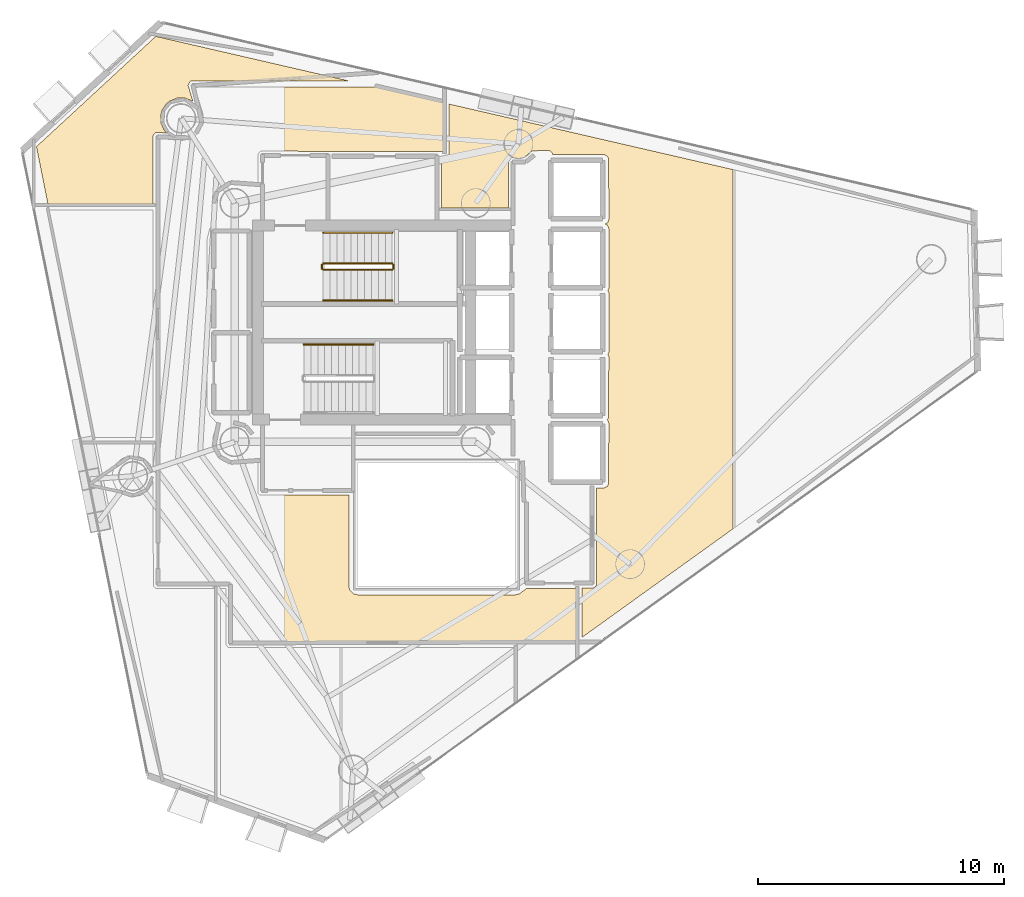
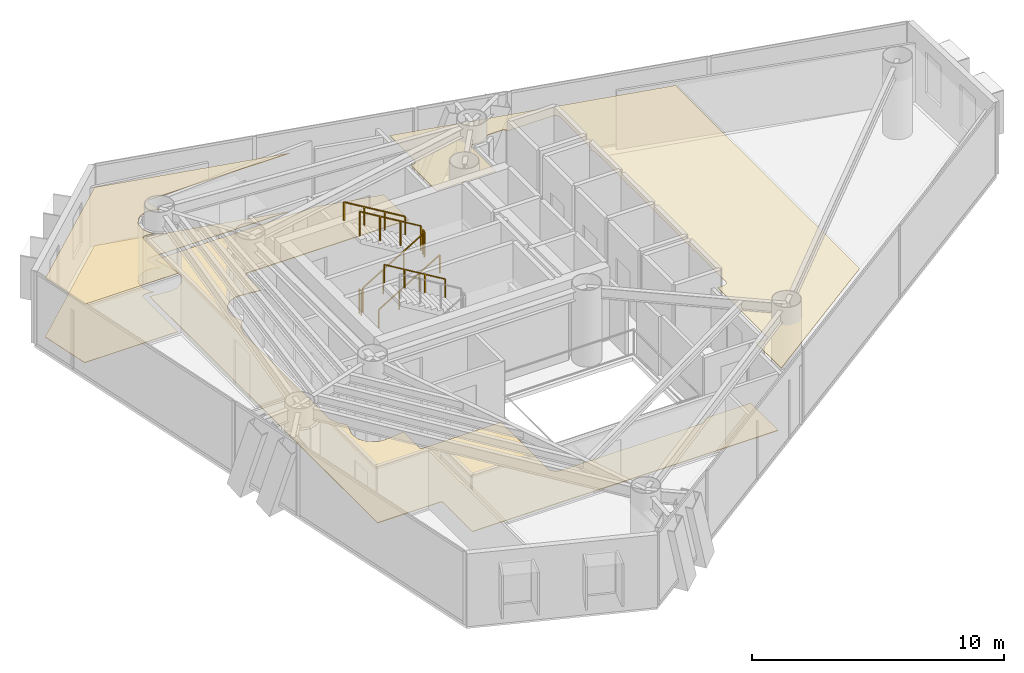
# One storey, part 21 of 22: 7 railings, 4 coverings.
"""IFC4 building model written with IfcOpenShell, lengths in metres."""

from ifc_helpers import new_model, si_unit, direction, frame, origin, origin_2d, place, context, subcontext, project, spatial, polyline, rectangle, outline, extrude, material, layer, layer_set, type_object, element, save


model = new_model("IFC4")

# Units and contexts
model_context = context("Model", 3, precision=1e-05, world=origin(), true_north=direction((0.0, 1.0)))
body_context = subcontext(model_context, "Body", "Model", "MODEL_VIEW")
ifc_project = project(units=[si_unit("LENGTHUNIT", "METRE"), si_unit("AREAUNIT", "SQUARE_METRE"), si_unit("VOLUMEUNIT", "CUBIC_METRE"), si_unit("PLANEANGLEUNIT", "RADIAN"), si_unit("MASSUNIT", "GRAM", prefix="KILO")], contexts=[model_context])

# Site, building, storey
site_placement = place(None, origin())
site = spatial("IfcSite", under=ifc_project, at=site_placement, CompositionType="ELEMENT")
building_placement = place(site_placement, origin())
building = spatial("IfcBuilding", under=site, at=building_placement, Name="Qianvela Tower", CompositionType="ELEMENT")
storey_placement = place(building_placement, frame((0.0, 0.0, 200.300048828125)))
storey = spatial("IfcBuildingStorey", under=building, at=storey_placement, Name="L51", CompositionType="ELEMENT", Elevation=200.300048828125)

# Coverings
ifc_material_1 = material(Name="Perforated Mineral Acoustic Ceiling Tile")
ifc_layer_1 = layer(ifc_material_1, 0.02490234375)
ifc_layer_set_1 = layer_set([ifc_layer_1], Name="Perforated Mineral Acoustic Ceiling Tile")
covering_type_1 = type_object("IfcCoveringType", Name="COV-CEIL-ACOUSTIC-25", PredefinedType="CEILING", material=ifc_layer_set_1)
covering_1_placement = place(storey_placement, frame((0.0, 0.0, 2.81494140625)))
element("IfcCovering", 1, at=covering_1_placement, inside=storey, type_object=covering_type_1, Name="L51 Acoustic Ceiling Bay 1 Collaborative Co-working Office L51-02", PredefinedType="CEILING", context=body_context, shape_type="SweptSolid", body=[
    extrude(outline(polyline([(42.70751953125, 17.920166015625), (43.157958984375, 17.92041015625), (43.165771484375, 17.9208984375), (43.173583984375, 17.921875), (43.18115234375, 17.923828125), (43.1884765625, 17.926513671875), (43.195556640625, 17.9296875), (43.202392578125, 17.933837890625), (43.20849609375, 17.9384765625), (43.21435546875, 17.94384765625), (43.2861328125, 18.015625), (43.29150390625, 18.021484375), (43.296142578125, 18.027587890625), (43.30029296875, 18.034423828125), (43.303466796875, 18.04150390625), (43.30615234375, 18.048828125), (43.30810546875, 18.056640625), (43.30908203125, 18.064208984375), (43.3095703125, 18.072265625), (43.309326171875, 21.980712890625), (43.60791015625, 21.982666015625), (43.615478515625, 21.983154296875), (43.623291015625, 21.984375), (43.630859375, 21.986083984375), (43.637939453125, 21.98876953125), (43.64501953125, 21.9921875), (43.716796875, 22.030517578125), (43.723388671875, 22.034423828125), (43.729736328125, 22.039306640625), (43.735595703125, 22.04443359375), (43.74072265625, 22.05029296875), (43.74560546875, 22.056640625), (43.74951171875, 22.063232421875), (43.787841796875, 22.135009765625), (43.791259765625, 22.14208984375), (43.7939453125, 22.1494140625), (43.7958984375, 22.156982421875), (43.796875, 22.164794921875), (43.79736328125, 22.172607421875), (43.79931640625, 24.61376953125), (43.799072265625, 24.62060546875), (43.798095703125, 24.627685546875), (43.79638671875, 24.634765625), (43.79443359375, 24.641357421875), (43.79150390625, 24.64794921875), (43.751220703125, 24.733154296875), (43.74755859375, 24.739990234375), (43.743408203125, 24.74658203125), (43.738525390625, 24.752197265625), (43.780517578125, 24.81494140625), (43.784423828125, 24.821533203125), (43.787841796875, 24.82861328125), (43.79052734375, 24.8359375), (43.79248046875, 24.843505859375), (43.793701171875, 24.851318359375), (43.7939453125, 24.859130859375), (43.800048828125, 27.2998046875), (43.799560546875, 27.307861328125), (43.79833984375, 27.315673828125), (43.79638671875, 27.323486328125), (43.793701171875, 27.3310546875), (43.7646484375, 27.39990234375), (43.793701171875, 27.468994140625), (43.79638671875, 27.476318359375), (43.79833984375, 27.484130859375), (43.799560546875, 27.491943359375), (43.800048828125, 27.5), (43.800048828125, 29.89990234375), (43.799560546875, 29.907958984375), (43.79833984375, 29.915771484375), (43.79638671875, 29.923583984375), (43.793701171875, 29.93115234375), (43.7646484375, 30.0), (43.793701171875, 30.06884765625), (43.79638671875, 30.076416015625), (43.79833984375, 30.084228515625), (43.799560546875, 30.092041015625), (43.800048828125, 30.10009765625), (43.79931640625, 32.513671875), (43.798828125, 32.522705078125), (43.79736328125, 32.53125), (43.794921875, 32.539794921875), (43.79150390625, 32.5478515625), (43.751220703125, 32.63330078125), (43.74755859375, 32.64013671875), (43.743408203125, 32.646728515625), (43.73828125, 32.652587890625), (43.732666015625, 32.658203125), (43.726806640625, 32.663330078125), (43.72021484375, 32.66748046875), (43.713134765625, 32.67138671875), (43.646484375, 32.702880859375), (43.722412109375, 32.739013671875), (43.729248046875, 32.74267578125), (43.73583984375, 32.746826171875), (43.741943359375, 32.751953125), (43.74755859375, 32.757568359375), (43.75244140625, 32.763427734375), (43.7568359375, 32.77001953125), (43.760498046875, 32.777099609375), (43.763427734375, 32.7841796875), (43.79541015625, 32.873046875), (43.79736328125, 32.879638671875), (43.798828125, 32.886474609375), (43.7998046875, 32.893310546875), (43.800048828125, 32.900146484375), (43.79736328125, 35.327392578125), (43.796875, 35.3359375), (43.79541015625, 35.344482421875), (43.793212890625, 35.352783203125), (43.7900390625, 35.36083984375), (43.785888671875, 35.368408203125), (43.7373046875, 35.44921875), (43.732666015625, 35.456298828125), (43.727294921875, 35.462890625), (43.72119140625, 35.46875), (43.71435546875, 35.47412109375), (43.70703125, 35.478515625), (43.699462890625, 35.482177734375), (43.624267578125, 35.51318359375), (43.616943359375, 35.515869140625), (43.609375, 35.517822265625), (43.6015625, 35.518798828125), (43.59375, 35.519287109375), (41.515625, 35.52001953125), (41.513916015625, 35.554931640625), (41.512939453125, 35.563232421875), (41.51123046875, 35.5712890625), (41.508544921875, 35.5791015625), (41.50537109375, 35.5869140625), (41.501220703125, 35.593994140625), (41.496337890625, 35.6005859375), (41.49072265625, 35.60693359375), (41.484619140625, 35.612548828125), (41.426513671875, 35.660400390625), (41.419921875, 35.6650390625), (41.413330078125, 35.6689453125), (41.406005859375, 35.67236328125), (41.398681640625, 35.675048828125), (41.39111328125, 35.677001953125), (41.38330078125, 35.677978515625), (41.37548828125, 35.678466796875), (40.726806640625, 35.676513671875), (40.718994140625, 35.67626953125), (40.71142578125, 35.675048828125), (40.7041015625, 35.67333984375), (40.697021484375, 35.670654296875), (40.68994140625, 35.66748046875), (40.683349609375, 35.663818359375), (40.677001953125, 35.6591796875), (40.35986328125, 35.40673828125), (40.129150390625, 35.36083984375), (39.884521484375, 35.402099609375), (39.87646484375, 35.403076171875), (39.8681640625, 35.4033203125), (39.860107421875, 35.402587890625), (39.85205078125, 35.40087890625), (39.84423828125, 35.398681640625), (39.8369140625, 35.3955078125), (39.82958984375, 35.3916015625), (39.822998046875, 35.38720703125), (39.7578125, 35.337890625), (39.75146484375, 35.332763671875), (39.745849609375, 35.326904296875), (39.74072265625, 35.3203125), (39.736328125, 35.3134765625), (39.732666015625, 35.30615234375), (39.729736328125, 35.298583984375), (39.727783203125, 35.29052734375), (39.726318359375, 35.282470703125), (39.72607421875, 35.2744140625), (39.72021484375, 33.342041015625), (37.010009765625, 33.342041015625), (37.010009765625, 35.40087890625), (37.165771484375, 35.401611328125), (37.174072265625, 35.402099609375), (37.18212890625, 35.4033203125), (37.190185546875, 35.405517578125), (37.197998046875, 35.408447265625), (37.205322265625, 35.412109375), (37.21240234375, 35.416748046875), (37.21875, 35.421875), (37.224609375, 35.427734375), (37.288818359375, 35.498291015625), (37.29345703125, 35.50390625), (37.297607421875, 35.510009765625), (37.30126953125, 35.5166015625), (37.30419921875, 35.523193359375), (37.306640625, 35.5302734375), (37.308349609375, 35.53759765625), (37.309326171875, 35.544921875), (37.3095703125, 35.552001953125), (37.31005859375, 37.57568359375), (48.844482421875, 34.9140625), (48.844482421875, 20.31689453125), (42.709716796875, 15.906494140625), (42.70751953125, 17.920166015625)])), origin(), (0.0, 0.0, 1.0), 0.02490234375),
])
covering_2_placement = place(storey_placement, frame((0.0, 0.0, 2.81494140625)))
element("IfcCovering", 2, at=covering_2_placement, inside=storey, type_object=covering_type_1, Name="L51 Acoustic Ceiling Quiet Desk Workspace L51-03", PredefinedType="CEILING", context=body_context, shape_type="SweptSolid", body=[
    extrude(outline(polyline([(25.845947265625, 36.39013671875), (25.457763671875, 36.42822265625), (25.449462890625, 36.4287109375), (25.44091796875, 36.427978515625), (25.4326171875, 36.4267578125), (25.424560546875, 36.424560546875), (25.416748046875, 36.42138671875), (25.409423828125, 36.41748046875), (25.40234375, 36.412841796875), (25.32568359375, 36.356201171875), (25.3193359375, 36.350830078125), (25.313720703125, 36.344970703125), (25.308349609375, 36.33837890625), (25.303955078125, 36.33154296875), (25.30029296875, 36.32421875), (25.29736328125, 36.31640625), (25.295166015625, 36.308349609375), (25.2939453125, 36.30029296875), (25.29345703125, 36.2919921875), (25.2900390625, 33.52197265625), (21.01708984375, 33.52197265625), (20.55078125, 35.843994140625), (25.398193359375, 40.32421875), (33.2626953125, 38.509521484375), (26.841064453125, 38.50390625), (26.833251953125, 38.50341796875), (26.825439453125, 38.50244140625), (26.81787109375, 38.50048828125), (26.810546875, 38.497802734375), (26.803466796875, 38.494384765625), (26.796630859375, 38.490478515625), (26.790283203125, 38.485595703125), (26.78466796875, 38.48046875), (26.779296875, 38.474609375), (26.774658203125, 38.468505859375), (26.770751953125, 38.461669921875), (26.722900390625, 38.3720703125), (26.719482421875, 38.364990234375), (26.716796875, 38.357666015625), (26.71484375, 38.35009765625), (26.7138671875, 38.34228515625), (26.71337890625, 38.33447265625), (26.713623046875, 38.32666015625), (26.71484375, 38.31884765625), (26.716796875, 38.311279296875), (26.906982421875, 37.68310546875), (26.904052734375, 37.685791015625), (26.897705078125, 37.6904296875), (26.890869140625, 37.694580078125), (26.8837890625, 37.69775390625), (26.60986328125, 37.811279296875), (26.6025390625, 37.81396484375), (26.594970703125, 37.81591796875), (26.587158203125, 37.81689453125), (26.579345703125, 37.8173828125), (26.28271484375, 37.8173828125), (26.27490234375, 37.81689453125), (26.26708984375, 37.81591796875), (26.259521484375, 37.81396484375), (26.252197265625, 37.811279296875), (25.978271484375, 37.69775390625), (25.97119140625, 37.694580078125), (25.96435546875, 37.6904296875), (25.9580078125, 37.685791015625), (25.8427734375, 37.59130859375), (25.8369140625, 37.5859375), (25.831787109375, 37.580078125), (25.8271484375, 37.57373046875), (25.662353515625, 37.327392578125), (25.658203125, 37.320556640625), (25.65478515625, 37.3134765625), (25.65234375, 37.30615234375), (25.60888671875, 37.16357421875), (25.607177734375, 37.156005859375), (25.60595703125, 37.148193359375), (25.605712890625, 37.140380859375), (25.605712890625, 36.84375), (25.60595703125, 36.8359375), (25.607177734375, 36.828125), (25.60888671875, 36.820556640625), (25.61181640625, 36.81298828125), (25.72509765625, 36.539306640625), (25.728515625, 36.531982421875), (25.732666015625, 36.525390625), (25.7373046875, 36.51904296875), (25.831787109375, 36.40380859375), (25.8369140625, 36.39794921875), (25.8427734375, 36.392822265625), (25.845947265625, 36.39013671875)])), origin(), (0.0, 0.0, 1.0), 0.02490234375),
])
ifc_material_2 = material(Name="Engineered Acoustic Oak Timber Flooring", Category="wood")
ifc_layer_2 = layer(ifc_material_2, 0.02001953125)
ifc_layer_set_2 = layer_set([ifc_layer_2], Name="Engineered Acoustic Oak Timber Flooring")
covering_type_2 = type_object("IfcCoveringType", Name="COV-FLOOR-OAK-20", PredefinedType="FLOORING", material=ifc_layer_set_2)
covering_3_placement = place(storey_placement, origin())
element("IfcCovering", 3, at=covering_3_placement, inside=storey, type_object=covering_type_2, Name="L51 Finish Flooring Quiet Desk Workspace L51-03", PredefinedType="FLOORING", context=body_context, shape_type="SweptSolid", body=[
    extrude(outline(polyline([(25.845947265625, 36.39013671875), (25.457763671875, 36.42822265625), (25.449462890625, 36.4287109375), (25.44091796875, 36.427978515625), (25.4326171875, 36.4267578125), (25.424560546875, 36.424560546875), (25.416748046875, 36.42138671875), (25.409423828125, 36.41748046875), (25.40234375, 36.412841796875), (25.32568359375, 36.356201171875), (25.3193359375, 36.350830078125), (25.313720703125, 36.344970703125), (25.308349609375, 36.33837890625), (25.303955078125, 36.33154296875), (25.30029296875, 36.32421875), (25.29736328125, 36.31640625), (25.295166015625, 36.308349609375), (25.2939453125, 36.30029296875), (25.29345703125, 36.2919921875), (25.2900390625, 33.52197265625), (21.01708984375, 33.52197265625), (20.55078125, 35.843994140625), (25.398193359375, 40.32421875), (33.2626953125, 38.509521484375), (26.841064453125, 38.50390625), (26.833251953125, 38.50341796875), (26.825439453125, 38.50244140625), (26.81787109375, 38.50048828125), (26.810546875, 38.497802734375), (26.803466796875, 38.494384765625), (26.796630859375, 38.490478515625), (26.790283203125, 38.485595703125), (26.78466796875, 38.48046875), (26.779296875, 38.474609375), (26.774658203125, 38.468505859375), (26.770751953125, 38.461669921875), (26.722900390625, 38.3720703125), (26.719482421875, 38.364990234375), (26.716796875, 38.357666015625), (26.71484375, 38.35009765625), (26.7138671875, 38.34228515625), (26.71337890625, 38.33447265625), (26.713623046875, 38.32666015625), (26.71484375, 38.31884765625), (26.716796875, 38.311279296875), (26.906982421875, 37.68310546875), (26.904052734375, 37.685791015625), (26.897705078125, 37.6904296875), (26.890869140625, 37.694580078125), (26.8837890625, 37.69775390625), (26.60986328125, 37.811279296875), (26.6025390625, 37.81396484375), (26.594970703125, 37.81591796875), (26.587158203125, 37.81689453125), (26.579345703125, 37.8173828125), (26.28271484375, 37.8173828125), (26.27490234375, 37.81689453125), (26.26708984375, 37.81591796875), (26.259521484375, 37.81396484375), (26.252197265625, 37.811279296875), (25.978271484375, 37.69775390625), (25.97119140625, 37.694580078125), (25.96435546875, 37.6904296875), (25.9580078125, 37.685791015625), (25.8427734375, 37.59130859375), (25.8369140625, 37.5859375), (25.831787109375, 37.580078125), (25.8271484375, 37.57373046875), (25.662353515625, 37.327392578125), (25.658203125, 37.320556640625), (25.65478515625, 37.3134765625), (25.65234375, 37.30615234375), (25.60888671875, 37.16357421875), (25.607177734375, 37.156005859375), (25.60595703125, 37.148193359375), (25.605712890625, 37.140380859375), (25.605712890625, 36.84375), (25.60595703125, 36.8359375), (25.607177734375, 36.828125), (25.60888671875, 36.820556640625), (25.61181640625, 36.81298828125), (25.72509765625, 36.539306640625), (25.728515625, 36.531982421875), (25.732666015625, 36.525390625), (25.7373046875, 36.51904296875), (25.831787109375, 36.40380859375), (25.8369140625, 36.39794921875), (25.8427734375, 36.392822265625), (25.845947265625, 36.39013671875)])), origin(), (0.0, 0.0, 1.0), 0.02001953125),
])
ifc_material_3 = material(Name="Honed Stone Terrazzo Flooring", Category="masonry")
ifc_layer_3 = layer(ifc_material_3, 0.030029296875)
ifc_layer_set_3 = layer_set([ifc_layer_3], Name="Honed Stone Terrazzo Flooring")
covering_type_3 = type_object("IfcCoveringType", Name="COV-FLOOR-TERRAZZO-30", PredefinedType="FLOORING", material=ifc_layer_set_3)
covering_4_placement = place(storey_placement, origin())
element("IfcCovering", 4, at=covering_4_placement, inside=storey, type_object=covering_type_3, Name="L51 Finish Flooring L51 Floor Corridor", PredefinedType="FLOORING", context=body_context, shape_type="SweptSolid", body=[
    extrude(outline(polyline([(27.30908203125, 36.801513671875), (27.311767578125, 36.808837890625), (27.313720703125, 36.81640625), (27.31494140625, 36.82421875), (27.315185546875, 36.83203125), (27.315185546875, 37.152099609375), (27.31494140625, 37.159912109375), (27.313720703125, 37.16748046875), (27.311767578125, 37.17529296875), (26.979736328125, 38.27001953125), (34.30029296875, 38.27001953125), (37.070068359375, 37.630859375), (37.070068359375, 35.64013671875), (29.68798828125, 35.660888671875), (29.680419921875, 35.660400390625), (29.672607421875, 35.6591796875), (29.664794921875, 35.657470703125), (29.657470703125, 35.65478515625), (29.650390625, 35.6513671875), (29.6435546875, 35.6474609375), (29.63720703125, 35.642578125), (29.63134765625, 35.637451171875), (29.626220703125, 35.631591796875), (29.576171875, 35.57080078125), (29.571533203125, 35.564453125), (29.5673828125, 35.5576171875), (29.564208984375, 35.550537109375), (29.561279296875, 35.543212890625), (29.5595703125, 35.53564453125), (29.558349609375, 35.52783203125), (29.55810546875, 35.52001953125), (29.55810546875, 34.35595703125), (28.60791015625, 34.44970703125), (28.60009765625, 34.449951171875), (28.59228515625, 34.44970703125), (28.43212890625, 34.433837890625), (28.42431640625, 34.4326171875), (28.416748046875, 34.430908203125), (28.409423828125, 34.42822265625), (28.11376953125, 34.3056640625), (28.106689453125, 34.302490234375), (28.10009765625, 34.29833984375), (28.09375, 34.293701171875), (28.087890625, 34.288330078125), (27.861572265625, 34.06201171875), (27.8564453125, 34.056396484375), (27.851806640625, 34.050048828125), (27.84765625, 34.043212890625), (27.84423828125, 34.0361328125), (27.7216796875, 33.740478515625), (27.71923828125, 33.733154296875), (27.71728515625, 33.7255859375), (27.716064453125, 33.7177734375), (27.700439453125, 33.557861328125), (27.699951171875, 33.550048828125), (27.700439453125, 33.542236328125), (27.716064453125, 33.382080078125), (27.71728515625, 33.37451171875), (27.71923828125, 33.36669921875), (27.865478515625, 32.884521484375), (27.60107421875, 32.52685546875), (27.5966796875, 32.5205078125), (27.593017578125, 32.513427734375), (27.590087890625, 32.50634765625), (27.587890625, 32.4990234375), (27.472412109375, 32.0458984375), (27.47119140625, 32.039306640625), (27.47021484375, 32.03271484375), (27.469970703125, 32.026123046875), (27.469970703125, 25.291259765625), (27.47021484375, 25.2841796875), (27.47119140625, 25.27734375), (27.47265625, 25.2705078125), (27.474853515625, 25.263916015625), (27.59326171875, 24.938232421875), (27.59619140625, 24.93115234375), (27.599853515625, 24.92431640625), (27.604248046875, 24.91796875), (27.609130859375, 24.911865234375), (27.89111328125, 24.599853515625), (27.71923828125, 24.033203125), (27.71728515625, 24.025634765625), (27.716064453125, 24.017822265625), (27.7158203125, 24.010009765625), (27.7158203125, 23.68994140625), (27.716064453125, 23.68212890625), (27.71728515625, 23.67431640625), (27.71923828125, 23.666748046875), (27.765869140625, 23.512939453125), (27.7685546875, 23.505615234375), (27.77197265625, 23.49853515625), (27.77587890625, 23.49169921875), (27.95361328125, 23.2255859375), (27.958251953125, 23.219482421875), (27.963623046875, 23.213623046875), (27.969482421875, 23.208251953125), (27.9755859375, 23.20361328125), (28.24169921875, 23.02587890625), (28.24853515625, 23.02197265625), (28.255615234375, 23.0185546875), (28.262939453125, 23.015869140625), (28.416748046875, 22.96923828125), (28.42431640625, 22.96728515625), (28.43212890625, 22.966064453125), (28.59228515625, 22.950439453125), (28.60009765625, 22.949951171875), (28.60791015625, 22.950439453125), (29.55810546875, 23.0439453125), (29.55810546875, 21.780029296875), (29.558349609375, 21.772216796875), (29.5595703125, 21.764404296875), (29.561279296875, 21.7568359375), (29.564208984375, 21.74951171875), (29.5673828125, 21.7421875), (29.571533203125, 21.735595703125), (29.576171875, 21.729248046875), (29.581298828125, 21.723388671875), (29.587158203125, 21.71826171875), (29.593505859375, 21.71337890625), (29.600341796875, 21.70947265625), (29.607421875, 21.7060546875), (29.61474609375, 21.703369140625), (29.622314453125, 21.701416015625), (29.630126953125, 21.700439453125), (29.637939453125, 21.699951171875), (33.239990234375, 21.699951171875), (33.239990234375, 18.0), (33.240478515625, 17.990234375), (33.242431640625, 17.980712890625), (33.275390625, 17.8486328125), (33.277587890625, 17.841796875), (33.2802734375, 17.8349609375), (33.283447265625, 17.82861328125), (33.287353515625, 17.822509765625), (33.29150390625, 17.81689453125), (33.29638671875, 17.811279296875), (33.411376953125, 17.696533203125), (33.41796875, 17.690673828125), (33.4248046875, 17.685791015625), (33.432373046875, 17.681396484375), (33.440185546875, 17.677978515625), (33.448486328125, 17.675537109375), (33.58056640625, 17.642333984375), (33.5869140625, 17.64111328125), (33.593505859375, 17.640380859375), (33.60009765625, 17.639892578125), (40.0, 17.639892578125), (40.006591796875, 17.640380859375), (40.012939453125, 17.64111328125), (40.019287109375, 17.642333984375), (40.1513671875, 17.675537109375), (40.15869140625, 17.677734375), (40.166015625, 17.6806640625), (40.172607421875, 17.68408203125), (40.17919921875, 17.6884765625), (40.45947265625, 17.89306640625), (42.469970703125, 17.899658203125), (42.469970703125, 15.734130859375), (42.464111328125, 15.72998046875), (28.47998046875, 15.72998046875), (28.47998046875, 18.050048828125), (28.4794921875, 18.057861328125), (28.478515625, 18.065673828125), (28.4765625, 18.0732421875), (28.473876953125, 18.08056640625), (28.470703125, 18.087646484375), (28.466552734375, 18.094482421875), (28.4619140625, 18.100830078125), (28.45654296875, 18.106689453125), (28.45068359375, 18.11181640625), (28.4443359375, 18.116455078125), (28.437744140625, 18.12060546875), (28.4306640625, 18.123779296875), (28.423095703125, 18.126708984375), (28.41552734375, 18.12841796875), (28.40771484375, 18.129638671875), (28.39990234375, 18.1298828125), (25.530029296875, 18.1298828125), (25.530029296875, 36.180419921875), (26.423095703125, 36.09228515625), (26.430908203125, 36.092041015625), (26.438720703125, 36.09228515625), (26.446533203125, 36.093505859375), (26.760498046875, 36.156005859375), (26.76806640625, 36.157958984375), (26.775390625, 36.160400390625), (26.782470703125, 36.163818359375), (26.789306640625, 36.16796875), (27.055419921875, 36.345703125), (27.0615234375, 36.350341796875), (27.0673828125, 36.355712890625), (27.07275390625, 36.361328125), (27.174560546875, 36.485595703125), (27.17919921875, 36.491943359375), (27.183349609375, 36.498779296875), (27.186767578125, 36.505859375), (27.30908203125, 36.801513671875)])), origin(), (0.0, 0.0, 1.0), 0.030029296875),
])

# Railings
ifc_material_4 = material(Name="Painted Tubular Steel Q355B", Category="steel")
railing_type_1 = type_object("IfcRailingType", Name="RL-STAIR-GUARD-1200", PredefinedType="GUARDRAIL", material=ifc_material_4)
railing_1_placement = place(storey_placement, frame((32.199951171875, 30.840087890625, 0.168212890625)))
element("IfcRailing", 5, at=railing_1_placement, inside=storey, type_object=railing_type_1, Name="L51 ST-1 stair guard 1", PredefinedType="GUARDRAIL", context=body_context, shape_type="SweptSolid", body=[
    extrude(rectangle(XDim=0.050048828125, YDim=0.0400390625, at=origin_2d()), frame((0.0, 0.0, 1.179931640625), z_axis=(0.857275202839, 0.0, 0.514858452973), x_axis=(0.0, 1.0, 0.0)), (0.0, 0.0, 1.0), 3.26611328125),
    extrude(rectangle(XDim=0.050048828125, YDim=0.050048828125, at=origin_2d()), origin(), (0.0, 0.0, 1.0), 1.159912109375),
    extrude(rectangle(XDim=0.050048828125, YDim=0.050048828125, at=origin_2d()), frame((0.933349609375, 0.0, 0.560546875)), (0.0, 0.0, 1.0), 1.159912109375),
    extrude(rectangle(XDim=0.050048828125, YDim=0.050048828125, at=origin_2d()), frame((1.86669921875, 0.0, 1.12109375)), (0.0, 0.0, 1.0), 1.159912109375),
    extrude(rectangle(XDim=0.050048828125, YDim=0.050048828125, at=origin_2d()), frame((2.800048828125, 0.0, 1.681640625)), (0.0, 0.0, 1.0), 1.159912109375),
])
railing_2_placement = place(storey_placement, frame((35.050048828125, 30.889892578125, 1.849853515625)))
element("IfcRailing", 6, at=railing_2_placement, inside=storey, type_object=railing_type_1, Name="L51 ST-1 stair guard 2", PredefinedType="GUARDRAIL", context=body_context, shape_type="SweptSolid", body=[
    extrude(rectangle(XDim=0.050048828125, YDim=0.0400390625, at=origin_2d()), frame((0.0, 0.0, 1.179931640625), z_axis=(0.0, 1.0, 0.0), x_axis=(-1.0, 0.0, 0.0)), (0.0, 0.0, 1.0), 0.16015625),
    extrude(rectangle(XDim=0.050048828125, YDim=0.050048828125, at=origin_2d()), origin(), (0.0, 0.0, 1.0), 1.159912109375),
    extrude(rectangle(XDim=0.050048828125, YDim=0.050048828125, at=origin_2d()), frame((0.0, 0.16015625, 0.0)), (0.0, 0.0, 1.0), 1.159912109375),
])
railing_3_placement = place(storey_placement, frame((35.0, 31.10009765625, 2.01806640625)))
element("IfcRailing", 7, at=railing_3_placement, inside=storey, type_object=railing_type_1, Name="L51 ST-1 stair guard 3", PredefinedType="GUARDRAIL", context=body_context, shape_type="SweptSolid", body=[
    extrude(rectangle(XDim=0.050048828125, YDim=0.0400390625, at=origin_2d()), frame((0.0, 0.0, 1.179931640625), z_axis=(-0.857242210791, 0.0, 0.514913383045), x_axis=(0.0, -1.0, 0.0)), (0.0, 0.0, 1.0), 3.266357421875),
    extrude(rectangle(XDim=0.050048828125, YDim=0.050048828125, at=origin_2d()), origin(), (0.0, 0.0, 1.0), 1.159912109375),
    extrude(rectangle(XDim=0.050048828125, YDim=0.050048828125, at=origin_2d()), frame((-0.933349609375, 0.0, 0.560546875)), (0.0, 0.0, 1.0), 1.159912109375),
    extrude(rectangle(XDim=0.050048828125, YDim=0.050048828125, at=origin_2d()), frame((-1.86669921875, 0.0, 1.121337890625)), (0.0, 0.0, 1.0), 1.159912109375),
    extrude(rectangle(XDim=0.050048828125, YDim=0.050048828125, at=origin_2d()), frame((-2.800048828125, 0.0, 1.681884765625)), (0.0, 0.0, 1.0), 1.159912109375),
])
railing_4_placement = place(storey_placement, frame((32.14990234375, 30.889892578125, 0.0)))
element("IfcRailing", 8, at=railing_4_placement, inside=storey, type_object=railing_type_1, Name="L51 ST-1 stair guard 4", PredefinedType="GUARDRAIL", context=body_context, shape_type="SweptSolid", body=[
    extrude(rectangle(XDim=0.050048828125, YDim=0.0400390625, at=origin_2d()), frame((0.0, 0.0, 1.179931640625), z_axis=(0.0, 1.0, 0.0), x_axis=(-1.0, 0.0, 0.0)), (0.0, 0.0, 1.0), 0.16015625),
    extrude(rectangle(XDim=0.050048828125, YDim=0.050048828125, at=origin_2d()), origin(), (0.0, 0.0, 1.0), 1.159912109375),
    extrude(rectangle(XDim=0.050048828125, YDim=0.050048828125, at=origin_2d()), frame((0.0, 0.16015625, 0.0)), (0.0, 0.0, 1.0), 1.159912109375),
])
ifc_material_5 = material(Name="Brushed Stainless Steel 304", Category="steel")
railing_type_2 = type_object("IfcRailingType", Name="RL-STAIR-HANDRAIL-900", PredefinedType="HANDRAIL", material=ifc_material_5)
railing_5_placement = place(storey_placement, frame((32.199951171875, 29.590087890625, 0.168212890625)))
element("IfcRailing", 9, at=railing_5_placement, inside=storey, type_object=railing_type_2, Name="L51 ST-1 stair handrail 1", PredefinedType="HANDRAIL", context=body_context, shape_type="SweptSolid", body=[
    extrude(rectangle(XDim=0.050048828125, YDim=0.0400390625, at=origin_2d()), frame((0.0, 0.0, 0.8798828125), z_axis=(0.857275202839, 0.0, 0.514858452973), x_axis=(0.0, 1.0, 0.0)), (0.0, 0.0, 1.0), 3.26611328125),
    extrude(rectangle(XDim=0.050048828125, YDim=0.050048828125, at=origin_2d()), origin(), (0.0, 0.0, 1.0), 0.85986328125),
    extrude(rectangle(XDim=0.050048828125, YDim=0.050048828125, at=origin_2d()), frame((0.933349609375, 0.0, 0.560546875)), (0.0, 0.0, 1.0), 0.85986328125),
    extrude(rectangle(XDim=0.050048828125, YDim=0.050048828125, at=origin_2d()), frame((1.86669921875, 0.0, 1.12109375)), (0.0, 0.0, 1.0), 0.85986328125),
    extrude(rectangle(XDim=0.050048828125, YDim=0.050048828125, at=origin_2d()), frame((2.800048828125, 0.0, 1.681640625)), (0.0, 0.0, 1.0), 0.85986328125),
])
for number, where, name in (
    (10, (35.0, 32.35009765625, 2.01806640625), "L51 ST-1 stair handrail 2"),
    (11, (34.219970703125, 27.81005859375, 2.01806640625), "L51 ST-2 stair handrail 2"),
):
    element("IfcRailing", number, at=place(storey_placement, frame(where)), inside=storey, type_object=railing_type_2, Name=name, PredefinedType="HANDRAIL", context=body_context, shape_type="SweptSolid", body=[
        extrude(rectangle(XDim=0.050048828125, YDim=0.0400390625, at=origin_2d()), frame((0.0, 0.0, 0.8798828125), z_axis=(-0.857242210791, 0.0, 0.514913383045), x_axis=(0.0, -1.0, 0.0)), (0.0, 0.0, 1.0), 3.266357421875),
        extrude(rectangle(XDim=0.050048828125, YDim=0.050048828125, at=origin_2d()), origin(), (0.0, 0.0, 1.0), 0.85986328125),
        extrude(rectangle(XDim=0.050048828125, YDim=0.050048828125, at=origin_2d()), frame((-0.933349609375, 0.0, 0.560546875)), (0.0, 0.0, 1.0), 0.85986328125),
        extrude(rectangle(XDim=0.050048828125, YDim=0.050048828125, at=origin_2d()), frame((-1.86669921875, 0.0, 1.121337890625)), (0.0, 0.0, 1.0), 0.85986328125),
        extrude(rectangle(XDim=0.050048828125, YDim=0.050048828125, at=origin_2d()), frame((-2.800048828125, 0.0, 1.681884765625)), (0.0, 0.0, 1.0), 0.85986328125),
    ])

save(model, "model.ifc")
